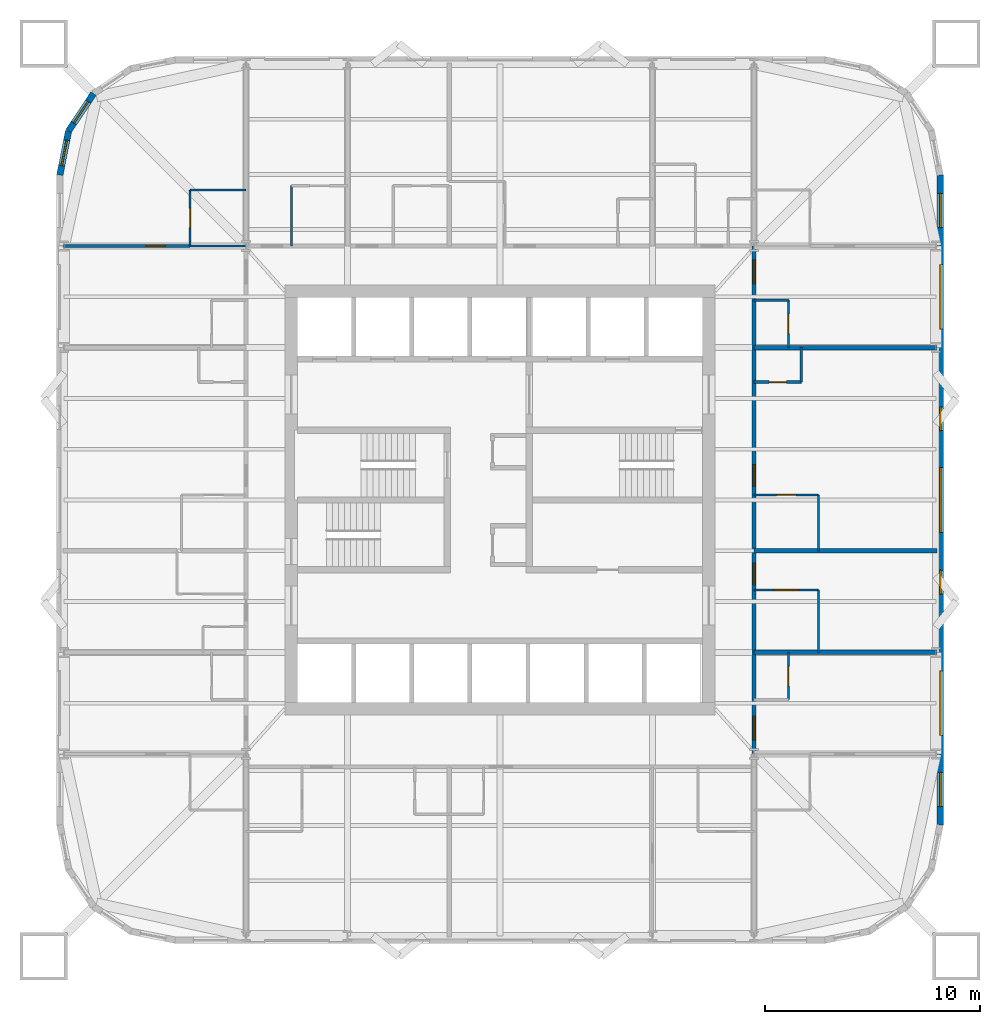
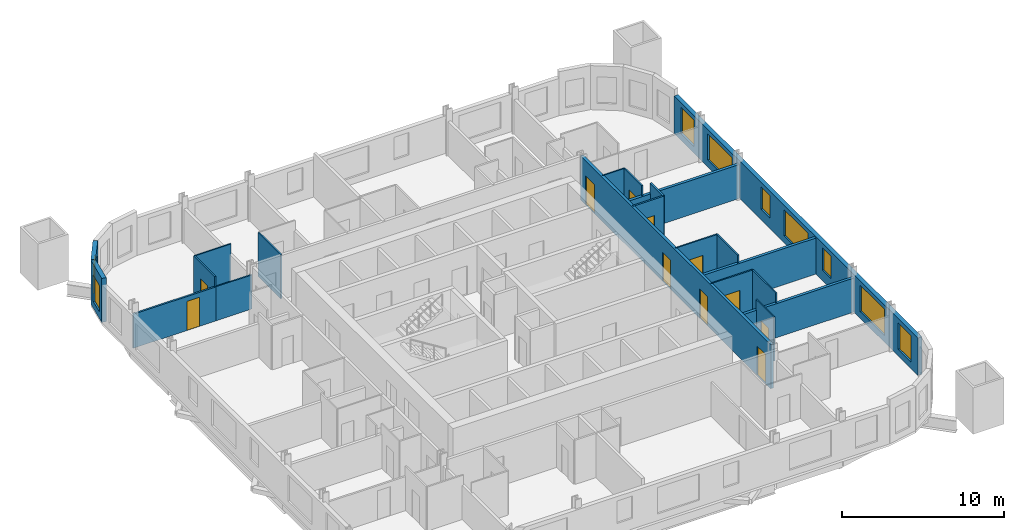
# One storey, part 6 of 9: 21 walls, 11 doors, 9 windows, 20 openings.
"""IFC4 building model written with IfcOpenShell, lengths in metres."""

from ifc_helpers import new_model, si_unit, direction, frame, frame_2d, origin, place, context, subcontext, project, spatial, rectangle, extrude, material, layer, layer_set, type_object, element, fill, save


model = new_model("IFC4")

# Units and contexts
model_context = context("Model", 3, precision=1e-05, world=origin(), true_north=direction((0.0, 1.0)))
body_context = subcontext(model_context, "Body", "Model", "MODEL_VIEW")
ifc_project = project(units=[si_unit("LENGTHUNIT", "METRE"), si_unit("AREAUNIT", "SQUARE_METRE"), si_unit("VOLUMEUNIT", "CUBIC_METRE"), si_unit("PLANEANGLEUNIT", "RADIAN"), si_unit("MASSUNIT", "GRAM", prefix="KILO")], contexts=[model_context])

# Site, building, storey
site_placement = place(None, origin())
site = spatial("IfcSite", under=ifc_project, at=site_placement, CompositionType="ELEMENT")
building_placement = place(site_placement, origin())
building = spatial("IfcBuilding", under=site, at=building_placement, Name="Turquesa Mirador Hotel Tower", CompositionType="ELEMENT")
storey_placement = place(building_placement, frame((0.0, 0.0, 131.89990234375)))
storey = spatial("IfcBuildingStorey", under=building, at=storey_placement, Name="L35", CompositionType="ELEMENT", Elevation=131.89990234375)

# Wall, opening, door
ifc_material_1 = material(Name="Gypsum board on steel studs", Category="steel")
ifc_layer_1 = layer(ifc_material_1, 0.10009765625)
ifc_layer_set_1 = layer_set([ifc_layer_1], Name="BATHROOM WALL 100")
wall_type_1 = type_object("IfcWallType", Name="BATHROOM WALL 100", PredefinedType="PARTITIONING", material=ifc_layer_set_1)
wall_1_placement = place(storey_placement, frame((66.800048828125, 40.820068359375, 0.0), z_axis=(0.0, 0.0, 1.0), x_axis=(1.0, 0.0, 0.0)))
wall_1 = element("IfcWall", 1, at=wall_1_placement, inside=storey, type_object=wall_type_1, Name="Partition L35 015", PredefinedType="PARTITIONING", context=body_context, shape_type="SweptSolid", body=[
    extrude(rectangle(XDim=3.0, YDim=0.10009765625, at=frame_2d((1.5, 0.0))), origin(), (0.0, 0.0, 1.0), 3.330078125),
])
opening_1_placement = place(wall_1_placement, frame((0.949951171875, 0.0, 0.0)))
opening_1 = element("IfcOpeningElement", 2, at=opening_1_placement, cuts=wall_1, Name="Opening D16", PredefinedType="OPENING", context=body_context, shape_type="SweptSolid", body=[
    extrude(rectangle(XDim=1.10009765625, YDim=2.10009765625, at=frame_2d((0.550048828125, 1.050048828125))), frame((0.0, 0.06005859375, 0.0), z_axis=(0.0, -1.0, 0.0), x_axis=(1.0, 0.0, 0.0)), (0.0, 0.0, 1.0), 0.1201171875),
])
ifc_material_2 = material(Name="Timber veneered sliding door", Category="wood")
door_type_1 = type_object("IfcDoorType", Name="DOOR 1100X2100 ACCESSIBLE EN-SUITE", OperationType="SLIDING_TO_LEFT", PredefinedType="DOOR", material=ifc_material_2)
door_1_placement = place(opening_1_placement, origin())
door_1 = element("IfcDoor", 3, at=door_1_placement, inside=storey, type_object=door_type_1, Name="Door 3507B", OperationType="SLIDING_TO_LEFT", OverallHeight=2.10009765625, OverallWidth=1.10009765625, PredefinedType="DOOR", context=body_context, shape_type="SweptSolid", body=[
    extrude(rectangle(XDim=1.10009765625, YDim=2.10009765625, at=frame_2d((0.550048828125, 1.050048828125))), frame((0.0, 0.02490234375, 0.0), z_axis=(0.0, -1.0, 0.0), x_axis=(1.0, 0.0, 0.0)), (0.0, 0.0, 1.0), 0.050048828125),
])
fill(opening_1, door_1)

wall_2_placement = place(storey_placement, frame((66.800048828125, 45.239990234375, 0.0), z_axis=(0.0, 0.0, 1.0), x_axis=(1.0, 0.0, 0.0)))
wall_2 = element("IfcWall", 4, at=wall_2_placement, inside=storey, type_object=wall_type_1, Name="Partition L35 023", PredefinedType="PARTITIONING", context=body_context, shape_type="SweptSolid", body=[
    extrude(rectangle(XDim=3.0, YDim=0.10009765625, at=frame_2d((1.5, 0.0))), origin(), (0.0, 0.0, 1.0), 3.330078125),
])
opening_2_placement = place(wall_2_placement, frame((1.050048828125, 0.0, 0.0)))
opening_2 = element("IfcOpeningElement", 5, at=opening_2_placement, cuts=wall_2, Name="Opening D02", PredefinedType="OPENING", context=body_context, shape_type="SweptSolid", body=[
    extrude(rectangle(XDim=0.89990234375, YDim=2.10009765625, at=frame_2d((0.449951171875, 1.050048828125))), frame((0.0, 0.06005859375, 0.0), z_axis=(0.0, -1.0, 0.0), x_axis=(1.0, 0.0, 0.0)), (0.0, 0.0, 1.0), 0.1201171875),
])
ifc_material_3 = material(Name="Timber veneered door", Category="wood")
door_type_2 = type_object("IfcDoorType", Name="DOOR 900X2100 EN-SUITE", OperationType="SINGLE_SWING_RIGHT", PredefinedType="DOOR", material=ifc_material_3)
door_2_placement = place(opening_2_placement, origin())
door_2 = element("IfcDoor", 6, at=door_2_placement, inside=storey, type_object=door_type_2, Name="Door 3508B", OperationType="SINGLE_SWING_RIGHT", OverallHeight=2.10009765625, OverallWidth=0.89990234375, PredefinedType="DOOR", context=body_context, shape_type="SweptSolid", body=[
    extrude(rectangle(XDim=0.89990234375, YDim=2.10009765625, at=frame_2d((0.449951171875, 1.050048828125))), frame((0.0, 0.02490234375, 0.0), z_axis=(0.0, -1.0, 0.0), x_axis=(1.0, 0.0, 0.0)), (0.0, 0.0, 1.0), 0.050048828125),
])
fill(opening_2, door_2)

# Walls
wall_3_placement = place(storey_placement, frame((40.60009765625, 56.800048828125, 0.0), z_axis=(0.0, 0.0, 1.0), x_axis=(1.0, 0.0, 0.0)))
element("IfcWall", 7, at=wall_3_placement, inside=storey, type_object=wall_type_1, Name="Partition L35 024", PredefinedType="PARTITIONING", context=body_context, shape_type="SweptSolid", body=[
    extrude(rectangle(XDim=2.599853515625, YDim=0.10009765625, at=frame_2d((1.2998046875, 0.0))), origin(), (0.0, 0.0, 1.0), 2.5732421875),
])
wall_4_placement = place(storey_placement, frame((40.60009765625, 59.39990234375, 0.0), z_axis=(0.0, 0.0, 1.0), x_axis=(1.0, 0.0, 0.0)))
element("IfcWall", 8, at=wall_4_placement, inside=storey, type_object=wall_type_1, Name="Partition L35 031", PredefinedType="PARTITIONING", context=body_context, shape_type="SweptSolid", body=[
    extrude(rectangle(XDim=2.599853515625, YDim=0.10009765625, at=frame_2d((1.2998046875, 0.0))), origin(), (0.0, 0.0, 1.0), 3.330078125),
])
wall_5_placement = place(storey_placement, frame((66.800048828125, 54.280029296875, 0.0), z_axis=(0.0, 0.0, 1.0), x_axis=(1.0, 0.0, 0.0)))
element("IfcWall", 9, at=wall_5_placement, inside=storey, type_object=wall_type_1, Name="Partition L35 042", PredefinedType="PARTITIONING", context=body_context, shape_type="SweptSolid", body=[
    extrude(rectangle(XDim=1.599853515625, YDim=0.10009765625, at=frame_2d((0.7998046875, 0.0))), origin(), (0.0, 0.0, 1.0), 3.330078125),
])

# Wall, opening, door
wall_6_placement = place(storey_placement, frame((40.60009765625, 56.800048828125, 0.0), z_axis=(0.0, 0.0, 1.0), x_axis=(0.0, 1.0, 0.0)))
wall_6 = element("IfcWall", 10, at=wall_6_placement, inside=storey, type_object=wall_type_1, Name="Partition L35 052", PredefinedType="PARTITIONING", context=body_context, shape_type="SweptSolid", body=[
    extrude(rectangle(XDim=2.599853515625, YDim=0.10009765625, at=frame_2d((1.2998046875, 0.0))), origin(), (0.0, 0.0, 1.0), 3.330078125),
])
opening_3_placement = place(wall_6_placement, frame((0.85009765625, 0.0, 0.0)))
opening_3 = element("IfcOpeningElement", 11, at=opening_3_placement, cuts=wall_6, Name="Opening D02", PredefinedType="OPENING", context=body_context, shape_type="SweptSolid", body=[
    extrude(rectangle(XDim=0.89990234375, YDim=2.10009765625, at=frame_2d((0.449951171875, 1.050048828125))), frame((0.0, 0.06005859375, 0.0), z_axis=(0.0, -1.0, 0.0), x_axis=(1.0, 0.0, 0.0)), (0.0, 0.0, 1.0), 0.1201171875),
])
door_3_placement = place(opening_3_placement, origin())
door_3 = element("IfcDoor", 12, at=door_3_placement, inside=storey, type_object=door_type_2, Name="Door 3512B", OperationType="SINGLE_SWING_RIGHT", OverallHeight=2.10009765625, OverallWidth=0.89990234375, PredefinedType="DOOR", context=body_context, shape_type="SweptSolid", body=[
    extrude(rectangle(XDim=0.89990234375, YDim=2.10009765625, at=frame_2d((0.449951171875, 1.050048828125))), frame((0.0, 0.02490234375, 0.0), z_axis=(0.0, -1.0, 0.0), x_axis=(1.0, 0.0, 0.0)), (0.0, 0.0, 1.0), 0.050048828125),
])
fill(opening_3, door_3)

# Wall
wall_7_placement = place(storey_placement, frame((45.320068359375, 56.800048828125, 0.0), z_axis=(0.0, 0.0, 1.0), x_axis=(0.0, 1.0, 0.0)))
element("IfcWall", 13, at=wall_7_placement, inside=storey, type_object=wall_type_1, Name="Partition L35 062", PredefinedType="PARTITIONING", context=body_context, shape_type="SweptSolid", body=[
    extrude(rectangle(XDim=2.800048828125, YDim=0.10009765625, at=frame_2d((1.39990234375, 0.0))), origin(), (0.0, 0.0, 1.0), 3.330078125),
])

# Wall, opening, door
wall_8_placement = place(storey_placement, frame((68.39990234375, 35.719970703125, 0.0), z_axis=(0.0, 0.0, 1.0), x_axis=(0.0, 1.0, 0.0)))
wall_8 = element("IfcWall", 14, at=wall_8_placement, inside=storey, type_object=wall_type_1, Name="Partition L35 068", PredefinedType="PARTITIONING", context=body_context, shape_type="SweptSolid", body=[
    extrude(rectangle(XDim=2.199951171875, YDim=0.10009765625, at=frame_2d((1.10009765625, 0.0))), origin(), (0.0, 0.0, 1.0), 3.330078125),
])
opening_4_placement = place(wall_8_placement, frame((0.64990234375, 0.0, 0.0)))
opening_4 = element("IfcOpeningElement", 15, at=opening_4_placement, cuts=wall_8, Name="Opening D06", PredefinedType="OPENING", context=body_context, shape_type="SweptSolid", body=[
    extrude(rectangle(XDim=0.89990234375, YDim=2.10009765625, at=frame_2d((0.449951171875, 1.050048828125))), frame((0.0, 0.06005859375, 0.0), z_axis=(0.0, -1.0, 0.0), x_axis=(1.0, 0.0, 0.0)), (0.0, 0.0, 1.0), 0.1201171875),
])
ifc_material_4 = material(Name="Laminate door", Category="wood")
door_type_3 = type_object("IfcDoorType", Name="DOOR 900X2100 WC", OperationType="SINGLE_SWING_LEFT", PredefinedType="DOOR", material=ifc_material_4)
door_4_placement = place(opening_4_placement, origin())
door_4 = element("IfcDoor", 16, at=door_4_placement, inside=storey, type_object=door_type_3, Name="Door 3514W", OperationType="SINGLE_SWING_LEFT", OverallHeight=2.10009765625, OverallWidth=0.89990234375, PredefinedType="DOOR", context=body_context, shape_type="SweptSolid", body=[
    extrude(rectangle(XDim=0.89990234375, YDim=2.10009765625, at=frame_2d((0.449951171875, 1.050048828125))), frame((0.0, 0.02490234375, 0.0), z_axis=(0.0, -1.0, 0.0), x_axis=(1.0, 0.0, 0.0)), (0.0, 0.0, 1.0), 0.050048828125),
])
fill(opening_4, door_4)

wall_9_placement = place(storey_placement, frame((68.39990234375, 52.080078125, 0.0), z_axis=(0.0, 0.0, 1.0), x_axis=(0.0, 1.0, 0.0)))
wall_9 = element("IfcWall", 17, at=wall_9_placement, inside=storey, type_object=wall_type_1, Name="Partition L35 069", PredefinedType="PARTITIONING", context=body_context, shape_type="SweptSolid", body=[
    extrude(rectangle(XDim=2.199951171875, YDim=0.10009765625, at=frame_2d((1.10009765625, 0.0))), origin(), (0.0, 0.0, 1.0), 3.330078125),
])
opening_5_placement = place(wall_9_placement, frame((0.64990234375, 0.0, 0.0)))
opening_5 = element("IfcOpeningElement", 18, at=opening_5_placement, cuts=wall_9, Name="Opening D06", PredefinedType="OPENING", context=body_context, shape_type="SweptSolid", body=[
    extrude(rectangle(XDim=0.89990234375, YDim=2.10009765625, at=frame_2d((0.449951171875, 1.050048828125))), frame((0.0, 0.06005859375, 0.0), z_axis=(0.0, -1.0, 0.0), x_axis=(1.0, 0.0, 0.0)), (0.0, 0.0, 1.0), 0.1201171875),
])
door_5_placement = place(opening_5_placement, origin())
door_5 = element("IfcDoor", 19, at=door_5_placement, inside=storey, type_object=door_type_3, Name="Door 3511W", OperationType="SINGLE_SWING_LEFT", OverallHeight=2.10009765625, OverallWidth=0.89990234375, PredefinedType="DOOR", context=body_context, shape_type="SweptSolid", body=[
    extrude(rectangle(XDim=0.89990234375, YDim=2.10009765625, at=frame_2d((0.449951171875, 1.050048828125))), frame((0.0, 0.02490234375, 0.0), z_axis=(0.0, -1.0, 0.0), x_axis=(1.0, 0.0, 0.0)), (0.0, 0.0, 1.0), 0.050048828125),
])
fill(opening_5, door_5)

# Walls
wall_10_placement = place(storey_placement, frame((69.800048828125, 37.919921875, 0.0), z_axis=(0.0, 0.0, 1.0), x_axis=(0.0, 1.0, 0.0)))
element("IfcWall", 20, at=wall_10_placement, inside=storey, type_object=wall_type_1, Name="Partition L35 073", PredefinedType="PARTITIONING", context=body_context, shape_type="SweptSolid", body=[
    extrude(rectangle(XDim=2.900146484375, YDim=0.10009765625, at=frame_2d((1.4501953125, 0.0))), origin(), (0.0, 0.0, 1.0), 3.330078125),
])
wall_11_placement = place(storey_placement, frame((69.800048828125, 42.639892578125, 0.0), z_axis=(0.0, 0.0, 1.0), x_axis=(0.0, 1.0, 0.0)))
element("IfcWall", 21, at=wall_11_placement, inside=storey, type_object=wall_type_1, Name="Partition L35 074", PredefinedType="PARTITIONING", context=body_context, shape_type="SweptSolid", body=[
    extrude(rectangle(XDim=2.60009765625, YDim=0.10009765625, at=frame_2d((1.300048828125, 0.0))), origin(), (0.0, 0.0, 1.0), 3.330078125),
])

# Wall, openings, doors
ifc_material_5 = material(Name="Fire-rated gypsum board on steel studs", Category="steel")
ifc_layer_2 = layer(ifc_material_5, 0.199951171875)
ifc_layer_set_2 = layer_set([ifc_layer_2], Name="CORRIDOR WALL 200")
wall_type_2 = type_object("IfcWallType", Name="CORRIDOR WALL 200", PredefinedType="PARTITIONING", material=ifc_layer_set_2)
wall_12_placement = place(storey_placement, frame((66.800048828125, 33.219970703125, 0.0), z_axis=(0.0, 0.0, 1.0), x_axis=(0.0, 1.0, 0.0)))
wall_12 = element("IfcWall", 22, at=wall_12_placement, inside=storey, type_object=wall_type_2, Name="Partition L35 065", PredefinedType="PARTITIONING", context=body_context, shape_type="SweptSolid", body=[
    extrude(rectangle(XDim=23.580078125, YDim=0.199951171875, at=frame_2d((11.7900390625, 0.0))), origin(), (0.0, 0.0, 1.0), 3.330078125),
])
opening_6_placement = place(wall_12_placement, frame((7.85009765625, 0.0, 0.0)))
opening_6 = element("IfcOpeningElement", 23, at=opening_6_placement, cuts=wall_12, Name="Opening D01", PredefinedType="OPENING", context=body_context, shape_type="SweptSolid", body=[
    extrude(rectangle(XDim=1.0, YDim=2.199951171875, at=frame_2d((0.5, 1.10009765625))), frame((0.0, 0.10986328125, 0.0), z_axis=(0.0, -1.0, 0.0), x_axis=(1.0, 0.0, 0.0)), (0.0, 0.0, 1.0), 0.219970703125),
])
opening_7_placement = place(wall_12_placement, frame((12.419921875, 0.0, 0.0)))
opening_7 = element("IfcOpeningElement", 24, at=opening_7_placement, cuts=wall_12, Name="Opening D01", PredefinedType="OPENING", context=body_context, shape_type="SweptSolid", body=[
    extrude(rectangle(XDim=1.0, YDim=2.199951171875, at=frame_2d((0.5, 1.10009765625))), frame((0.0, 0.10986328125, 0.0), z_axis=(0.0, -1.0, 0.0), x_axis=(1.0, 0.0, 0.0)), (0.0, 0.0, 1.0), 0.219970703125),
])
opening_8_placement = place(wall_12_placement, frame((21.830078125, 0.0, 0.0)))
opening_8 = element("IfcOpeningElement", 25, at=opening_8_placement, cuts=wall_12, Name="Opening D15", PredefinedType="OPENING", context=body_context, shape_type="SweptSolid", body=[
    extrude(rectangle(XDim=1.10009765625, YDim=2.199951171875, at=frame_2d((0.550048828125, 1.10009765625))), frame((0.0, 0.10986328125, 0.0), z_axis=(0.0, -1.0, 0.0), x_axis=(1.0, 0.0, 0.0)), (0.0, 0.0, 1.0), 0.219970703125),
])
opening_9_placement = place(wall_12_placement, frame((0.6298828125, 0.0, 0.0)))
opening_9 = element("IfcOpeningElement", 26, at=opening_9_placement, cuts=wall_12, Name="Opening D15", PredefinedType="OPENING", context=body_context, shape_type="SweptSolid", body=[
    extrude(rectangle(XDim=1.10009765625, YDim=2.199951171875, at=frame_2d((0.550048828125, 1.10009765625))), frame((0.0, 0.10986328125, 0.0), z_axis=(0.0, -1.0, 0.0), x_axis=(1.0, 0.0, 0.0)), (0.0, 0.0, 1.0), 0.219970703125),
])
ifc_material_6 = material(Name="Timber veneered fire door", Category="wood")
door_type_4 = type_object("IfcDoorType", Name="DOOR 1000X2200 GUEST ENTRY", OperationType="SINGLE_SWING_LEFT", PredefinedType="DOOR", material=ifc_material_6)
door_6_placement = place(opening_6_placement, origin())
door_6 = element("IfcDoor", 27, at=door_6_placement, inside=storey, type_object=door_type_4, Name="Door 3507", OperationType="SINGLE_SWING_LEFT", OverallHeight=2.199951171875, OverallWidth=1.0, PredefinedType="DOOR", context=body_context, shape_type="SweptSolid", body=[
    extrude(rectangle(XDim=1.0, YDim=2.199951171875, at=frame_2d((0.5, 1.10009765625))), frame((0.0, 0.02490234375, 0.0), z_axis=(0.0, -1.0, 0.0), x_axis=(1.0, 0.0, 0.0)), (0.0, 0.0, 1.0), 0.050048828125),
])
fill(opening_6, door_6)
door_7_placement = place(opening_7_placement, origin())
door_7 = element("IfcDoor", 28, at=door_7_placement, inside=storey, type_object=door_type_4, Name="Door 3508", OperationType="SINGLE_SWING_LEFT", OverallHeight=2.199951171875, OverallWidth=1.0, PredefinedType="DOOR", context=body_context, shape_type="SweptSolid", body=[
    extrude(rectangle(XDim=1.0, YDim=2.199951171875, at=frame_2d((0.5, 1.10009765625))), frame((0.0, 0.02490234375, 0.0), z_axis=(0.0, -1.0, 0.0), x_axis=(1.0, 0.0, 0.0)), (0.0, 0.0, 1.0), 0.050048828125),
])
fill(opening_7, door_7)
ifc_material_7 = material(Name="Timber veneered fire door", Category="wood")
door_type_5 = type_object("IfcDoorType", Name="DOOR 1100X2200 SUITE ENTRY", OperationType="SINGLE_SWING_LEFT", PredefinedType="DOOR", material=ifc_material_7)
door_8_placement = place(opening_8_placement, origin())
door_8 = element("IfcDoor", 29, at=door_8_placement, inside=storey, type_object=door_type_5, Name="Door 3511", OperationType="SINGLE_SWING_LEFT", OverallHeight=2.199951171875, OverallWidth=1.10009765625, PredefinedType="DOOR", context=body_context, shape_type="SweptSolid", body=[
    extrude(rectangle(XDim=1.10009765625, YDim=2.199951171875, at=frame_2d((0.550048828125, 1.10009765625))), frame((0.0, 0.02490234375, 0.0), z_axis=(0.0, -1.0, 0.0), x_axis=(1.0, 0.0, 0.0)), (0.0, 0.0, 1.0), 0.050048828125),
])
fill(opening_8, door_8)
door_9_placement = place(opening_9_placement, origin())
door_9 = element("IfcDoor", 30, at=door_9_placement, inside=storey, type_object=door_type_5, Name="Door 3514", OperationType="SINGLE_SWING_LEFT", OverallHeight=2.199951171875, OverallWidth=1.10009765625, PredefinedType="DOOR", context=body_context, shape_type="SweptSolid", body=[
    extrude(rectangle(XDim=1.10009765625, YDim=2.199951171875, at=frame_2d((0.550048828125, 1.10009765625))), frame((0.0, 0.02490234375, 0.0), z_axis=(0.0, -1.0, 0.0), x_axis=(1.0, 0.0, 0.0)), (0.0, 0.0, 1.0), 0.050048828125),
])
fill(opening_9, door_9)

# Wall, openings, windows
ifc_material_8 = material(Name="Limestone cladding on concrete block", Category="masonry")
ifc_layer_3 = layer(ifc_material_8, 0.300048828125)
ifc_layer_set_3 = layer_set([ifc_layer_3], Name="FACADE WALL 300 STONE SCREEN")
wall_type_3 = type_object("IfcWallType", Name="FACADE WALL 300 STONE SCREEN", PredefinedType="SOLIDWALL", material=ifc_layer_set_3)
wall_13_placement = place(storey_placement, frame((75.449951171875, 29.89990234375, 0.0), z_axis=(0.0, 0.0, 1.0), x_axis=(0.0, 1.0, 0.0)))
wall_13 = element("IfcWall", 31, at=wall_13_placement, inside=storey, type_object=wall_type_3, Name="Facade wall L35 04", PredefinedType="SOLIDWALL", context=body_context, shape_type="SweptSolid", body=[
    extrude(rectangle(XDim=30.2001953125, YDim=0.300048828125, at=frame_2d((15.10009765625, 0.0))), origin(), (0.0, 0.0, 1.0), 2.830078125),
])
opening_10_placement = place(wall_13_placement, frame((0.85009765625, 0.0, 0.5)))
opening_10 = element("IfcOpeningElement", 32, at=opening_10_placement, cuts=wall_13, Name="Opening WN3", PredefinedType="OPENING", context=body_context, shape_type="SweptSolid", body=[
    extrude(rectangle(XDim=1.60009765625, YDim=2.0, at=frame_2d((0.800048828125, 1.0))), frame((0.0, 0.159912109375, 0.0), z_axis=(0.0, -1.0, 0.0), x_axis=(1.0, 0.0, 0.0)), (0.0, 0.0, 1.0), 0.320068359375),
])
opening_11_placement = place(wall_13_placement, frame((4.159912109375, 0.0, 0.5)))
opening_11 = element("IfcOpeningElement", 33, at=opening_11_placement, cuts=wall_13, Name="Opening WN1", PredefinedType="OPENING", context=body_context, shape_type="SweptSolid", body=[
    extrude(rectangle(XDim=3.0, YDim=2.0, at=frame_2d((1.5, 1.0))), frame((0.0, 0.159912109375, 0.0), z_axis=(0.0, -1.0, 0.0), x_axis=(1.0, 0.0, 0.0)), (0.0, 0.0, 1.0), 0.320068359375),
])
opening_12_placement = place(wall_13_placement, frame((10.72998046875, 0.0, 0.800048828125)))
opening_12 = element("IfcOpeningElement", 34, at=opening_12_placement, cuts=wall_13, Name="Opening WN26", PredefinedType="OPENING", context=body_context, shape_type="SweptSolid", body=[
    extrude(rectangle(XDim=1.10009765625, YDim=1.699951171875, at=frame_2d((0.550048828125, 0.85009765625))), frame((0.0, 0.159912109375, 0.0), z_axis=(0.0, -1.0, 0.0), x_axis=(1.0, 0.0, 0.0)), (0.0, 0.0, 1.0), 0.320068359375),
])
opening_13_placement = place(wall_13_placement, frame((13.60009765625, 0.0, 0.5)))
opening_13 = element("IfcOpeningElement", 35, at=opening_13_placement, cuts=wall_13, Name="Opening WN1", PredefinedType="OPENING", context=body_context, shape_type="SweptSolid", body=[
    extrude(rectangle(XDim=3.0, YDim=2.0, at=frame_2d((1.5, 1.0))), frame((0.0, 0.159912109375, 0.0), z_axis=(0.0, -1.0, 0.0), x_axis=(1.0, 0.0, 0.0)), (0.0, 0.0, 1.0), 0.320068359375),
])
opening_14_placement = place(wall_13_placement, frame((18.320068359375, 0.0, 0.800048828125)))
opening_14 = element("IfcOpeningElement", 36, at=opening_14_placement, cuts=wall_13, Name="Opening WN26", PredefinedType="OPENING", context=body_context, shape_type="SweptSolid", body=[
    extrude(rectangle(XDim=1.10009765625, YDim=1.699951171875, at=frame_2d((0.550048828125, 0.85009765625))), frame((0.0, 0.159912109375, 0.0), z_axis=(0.0, -1.0, 0.0), x_axis=(1.0, 0.0, 0.0)), (0.0, 0.0, 1.0), 0.320068359375),
])
opening_15_placement = place(wall_13_placement, frame((23.0400390625, 0.0, 0.5)))
opening_15 = element("IfcOpeningElement", 37, at=opening_15_placement, cuts=wall_13, Name="Opening WN1", PredefinedType="OPENING", context=body_context, shape_type="SweptSolid", body=[
    extrude(rectangle(XDim=3.0, YDim=2.0, at=frame_2d((1.5, 1.0))), frame((0.0, 0.159912109375, 0.0), z_axis=(0.0, -1.0, 0.0), x_axis=(1.0, 0.0, 0.0)), (0.0, 0.0, 1.0), 0.320068359375),
])
opening_16_placement = place(wall_13_placement, frame((27.75, 0.0, 0.5)))
opening_16 = element("IfcOpeningElement", 38, at=opening_16_placement, cuts=wall_13, Name="Opening WN3", PredefinedType="OPENING", context=body_context, shape_type="SweptSolid", body=[
    extrude(rectangle(XDim=1.60009765625, YDim=2.0, at=frame_2d((0.800048828125, 1.0))), frame((0.0, 0.159912109375, 0.0), z_axis=(0.0, -1.0, 0.0), x_axis=(1.0, 0.0, 0.0)), (0.0, 0.0, 1.0), 0.320068359375),
])
ifc_material_9 = material(Name="Ceramic-fritted laminated glass", Category="glass")
window_type_1 = type_object("IfcWindowType", Name="FRITTED WINDOW 1100X1700", PartitioningType="DOUBLE_PANEL_HORIZONTAL", PredefinedType="WINDOW", material=ifc_material_9)
window_1_placement = place(opening_12_placement, origin())
window_1 = element("IfcWindow", 39, at=window_1_placement, inside=storey, type_object=window_type_1, Name="Window L35", OverallHeight=1.699951171875, OverallWidth=1.10009765625, PartitioningType="SINGLE_PANEL", PredefinedType="WINDOW", context=body_context, shape_type="SweptSolid", body=[
    extrude(rectangle(XDim=1.10009765625, YDim=1.699951171875, at=frame_2d((0.550048828125, 0.85009765625))), frame((0.0, 0.030029296875, 0.0), z_axis=(0.0, -1.0, 0.0), x_axis=(1.0, 0.0, 0.0)), (0.0, 0.0, 1.0), 0.06005859375),
])
fill(opening_12, window_1)
window_2_placement = place(opening_14_placement, origin())
window_2 = element("IfcWindow", 40, at=window_2_placement, inside=storey, type_object=window_type_1, Name="Window L35", OverallHeight=1.699951171875, OverallWidth=1.10009765625, PartitioningType="SINGLE_PANEL", PredefinedType="WINDOW", context=body_context, shape_type="SweptSolid", body=[
    extrude(rectangle(XDim=1.10009765625, YDim=1.699951171875, at=frame_2d((0.550048828125, 0.85009765625))), frame((0.0, 0.030029296875, 0.0), z_axis=(0.0, -1.0, 0.0), x_axis=(1.0, 0.0, 0.0)), (0.0, 0.0, 1.0), 0.06005859375),
])
fill(opening_14, window_2)
ifc_material_10 = material(Name="Ceramic-fritted laminated glass", Category="glass")
window_type_2 = type_object("IfcWindowType", Name="FRITTED WINDOW 1600X2000", PartitioningType="DOUBLE_PANEL_HORIZONTAL", PredefinedType="WINDOW", material=ifc_material_10)
window_3_placement = place(opening_10_placement, origin())
window_3 = element("IfcWindow", 41, at=window_3_placement, inside=storey, type_object=window_type_2, Name="Window L35", OverallHeight=2.0, OverallWidth=1.60009765625, PartitioningType="SINGLE_PANEL", PredefinedType="WINDOW", context=body_context, shape_type="SweptSolid", body=[
    extrude(rectangle(XDim=1.60009765625, YDim=2.0, at=frame_2d((0.800048828125, 1.0))), frame((0.0, 0.030029296875, 0.0), z_axis=(0.0, -1.0, 0.0), x_axis=(1.0, 0.0, 0.0)), (0.0, 0.0, 1.0), 0.06005859375),
])
fill(opening_10, window_3)
window_4_placement = place(opening_16_placement, origin())
window_4 = element("IfcWindow", 42, at=window_4_placement, inside=storey, type_object=window_type_2, Name="Window L35", OverallHeight=2.0, OverallWidth=1.60009765625, PartitioningType="SINGLE_PANEL", PredefinedType="WINDOW", context=body_context, shape_type="SweptSolid", body=[
    extrude(rectangle(XDim=1.60009765625, YDim=2.0, at=frame_2d((0.800048828125, 1.0))), frame((0.0, 0.030029296875, 0.0), z_axis=(0.0, -1.0, 0.0), x_axis=(1.0, 0.0, 0.0)), (0.0, 0.0, 1.0), 0.06005859375),
])
fill(opening_16, window_4)
ifc_material_11 = material(Name="Ceramic-fritted laminated glass", Category="glass")
window_type_3 = type_object("IfcWindowType", Name="FRITTED WINDOW 3000X2000", PartitioningType="DOUBLE_PANEL_HORIZONTAL", PredefinedType="WINDOW", material=ifc_material_11)
window_5_placement = place(opening_11_placement, origin())
window_5 = element("IfcWindow", 43, at=window_5_placement, inside=storey, type_object=window_type_3, Name="Window L35", OverallHeight=2.0, OverallWidth=3.0, PartitioningType="SINGLE_PANEL", PredefinedType="WINDOW", context=body_context, shape_type="SweptSolid", body=[
    extrude(rectangle(XDim=3.0, YDim=2.0, at=frame_2d((1.5, 1.0))), frame((0.0, 0.030029296875, 0.0), z_axis=(0.0, -1.0, 0.0), x_axis=(1.0, 0.0, 0.0)), (0.0, 0.0, 1.0), 0.06005859375),
])
fill(opening_11, window_5)
window_6_placement = place(opening_13_placement, origin())
window_6 = element("IfcWindow", 44, at=window_6_placement, inside=storey, type_object=window_type_3, Name="Window L35", OverallHeight=2.0, OverallWidth=3.0, PartitioningType="SINGLE_PANEL", PredefinedType="WINDOW", context=body_context, shape_type="SweptSolid", body=[
    extrude(rectangle(XDim=3.0, YDim=2.0, at=frame_2d((1.5, 1.0))), frame((0.0, 0.030029296875, 0.0), z_axis=(0.0, -1.0, 0.0), x_axis=(1.0, 0.0, 0.0)), (0.0, 0.0, 1.0), 0.06005859375),
])
fill(opening_13, window_6)
window_7_placement = place(opening_15_placement, origin())
window_7 = element("IfcWindow", 45, at=window_7_placement, inside=storey, type_object=window_type_3, Name="Window L35", OverallHeight=2.0, OverallWidth=3.0, PartitioningType="SINGLE_PANEL", PredefinedType="WINDOW", context=body_context, shape_type="SweptSolid", body=[
    extrude(rectangle(XDim=3.0, YDim=2.0, at=frame_2d((1.5, 1.0))), frame((0.0, 0.030029296875, 0.0), z_axis=(0.0, -1.0, 0.0), x_axis=(1.0, 0.0, 0.0)), (0.0, 0.0, 1.0), 0.06005859375),
])
fill(opening_15, window_7)

# Wall, opening, window
wall_14_placement = place(storey_placement, frame((36.116943359375, 63.883056640625, 0.0), z_axis=(0.0, 0.0, 1.0), x_axis=(-0.555563607591, -0.831474039234, 0.0)))
wall_14 = element("IfcWall", 46, at=wall_14_placement, inside=storey, type_object=wall_type_3, Name="Facade wall L35 12", PredefinedType="SOLIDWALL", context=body_context, shape_type="SweptSolid", body=[
    extrude(rectangle(XDim=2.08740234375, YDim=0.300048828125, at=frame_2d((1.043701171875, 0.0))), origin(), (0.0, 0.0, 1.0), 3.330078125),
])
opening_17_placement = place(wall_14_placement, frame((0.443603515625, 0.0, 0.5)))
opening_17 = element("IfcOpeningElement", 47, at=opening_17_placement, cuts=wall_14, Name="Opening WN4", PredefinedType="OPENING", context=body_context, shape_type="SweptSolid", body=[
    extrude(rectangle(XDim=1.199951171875, YDim=2.0, at=frame_2d((0.60009765625, 1.0))), frame((0.0, 0.159912109375, 0.0), z_axis=(0.0, -1.0, 0.0), x_axis=(1.0, 0.0, 0.0)), (0.0, 0.0, 1.0), 0.320068359375),
])
ifc_material_12 = material(Name="Ceramic-fritted laminated glass", Category="glass")
window_type_4 = type_object("IfcWindowType", Name="FRITTED CORNER WINDOW 1200X2000", PartitioningType="DOUBLE_PANEL_HORIZONTAL", PredefinedType="WINDOW", material=ifc_material_12)
window_8_placement = place(opening_17_placement, origin())
window_8 = element("IfcWindow", 48, at=window_8_placement, inside=storey, type_object=window_type_4, Name="Window L35", OverallHeight=2.0, OverallWidth=1.199951171875, PartitioningType="SINGLE_PANEL", PredefinedType="WINDOW", context=body_context, shape_type="SweptSolid", body=[
    extrude(rectangle(XDim=1.199951171875, YDim=2.0, at=frame_2d((0.60009765625, 1.0))), frame((0.0, 0.030029296875, 0.0), z_axis=(0.0, -1.0, 0.0), x_axis=(1.0, 0.0, 0.0)), (0.0, 0.0, 1.0), 0.06005859375),
])
fill(opening_17, window_8)

wall_15_placement = place(storey_placement, frame((34.957275390625, 62.1474609375, 0.0), z_axis=(0.0, 0.0, 1.0), x_axis=(-0.195081421501, -0.980787050784, 0.0)))
wall_15 = element("IfcWall", 49, at=wall_15_placement, inside=storey, type_object=wall_type_3, Name="Facade wall L35 13", PredefinedType="SOLIDWALL", context=body_context, shape_type="SweptSolid", body=[
    extrude(rectangle(XDim=2.08740234375, YDim=0.300048828125, at=frame_2d((1.043701171875, 0.0))), origin(), (0.0, 0.0, 1.0), 3.330078125),
])
opening_18_placement = place(wall_15_placement, frame((0.443603515625, 0.0, 0.5)))
opening_18 = element("IfcOpeningElement", 50, at=opening_18_placement, cuts=wall_15, Name="Opening WN4", PredefinedType="OPENING", context=body_context, shape_type="SweptSolid", body=[
    extrude(rectangle(XDim=1.199951171875, YDim=2.0, at=frame_2d((0.60009765625, 1.0))), frame((0.0, 0.159912109375, 0.0), z_axis=(0.0, -1.0, 0.0), x_axis=(1.0, 0.0, 0.0)), (0.0, 0.0, 1.0), 0.320068359375),
])
window_9_placement = place(opening_18_placement, origin())
window_9 = element("IfcWindow", 51, at=window_9_placement, inside=storey, type_object=window_type_4, Name="Window L35", OverallHeight=2.0, OverallWidth=1.199951171875, PartitioningType="SINGLE_PANEL", PredefinedType="WINDOW", context=body_context, shape_type="SweptSolid", body=[
    extrude(rectangle(XDim=1.199951171875, YDim=2.0, at=frame_2d((0.60009765625, 1.0))), frame((0.0, 0.030029296875, 0.0), z_axis=(0.0, -1.0, 0.0), x_axis=(1.0, 0.0, 0.0)), (0.0, 0.0, 1.0), 0.06005859375),
])
fill(opening_18, window_9)

# Walls
ifc_material_13 = material(Name="Fire-rated gypsum board on steel studs", Category="steel")
ifc_layer_4 = layer(ifc_material_13, 0.199951171875)
ifc_layer_set_4 = layer_set([ifc_layer_4], Name="PARTY WALL 200")
wall_type_4 = type_object("IfcWallType", Name="PARTY WALL 200", PredefinedType="PARTITIONING", material=ifc_layer_set_4)
wall_16_placement = place(storey_placement, frame((66.800048828125, 42.639892578125, 0.0), z_axis=(0.0, 0.0, 1.0), x_axis=(1.0, 0.0, 0.0)))
element("IfcWall", 52, at=wall_16_placement, inside=storey, type_object=wall_type_4, Name="Partition L35 014", PredefinedType="PARTITIONING", context=body_context, shape_type="SweptSolid", body=[
    extrude(rectangle(XDim=8.5, YDim=0.199951171875, at=frame_2d((4.25, 0.0))), origin(), (0.0, 0.0, 1.0), 2.730712890625),
])
for number, where, z_axis, x_axis, name in (
    (53, (66.800048828125, 37.919921875, 0.0), (0.0, 0.0, 1.0), (1.0, 0.0, 0.0), "Partition L35 019"),
    (54, (66.800048828125, 52.080078125, 0.0), (0.0, 0.0, 1.0), (1.0, 0.0, 0.0), "Partition L35 040"),
):
    element("IfcWall", number, at=place(storey_placement, frame(where, z_axis=z_axis, x_axis=x_axis)), inside=storey, type_object=wall_type_4, Name=name, PredefinedType="PARTITIONING", context=body_context, shape_type="SweptSolid", body=[
        extrude(rectangle(XDim=8.5, YDim=0.199951171875, at=frame_2d((4.25, 0.0))), origin(), (0.0, 0.0, 1.0), 2.5732421875),
    ])

# Wall, opening, door
ifc_material_14 = material(Name="Acoustic gypsum board on steel studs", Category="steel")
ifc_layer_5 = layer(ifc_material_14, 0.125)
ifc_layer_set_5 = layer_set([ifc_layer_5], Name="SUITE PARTITION 125")
wall_type_5 = type_object("IfcWallType", Name="SUITE PARTITION 125", PredefinedType="PARTITIONING", material=ifc_layer_set_5)
wall_17_placement = place(storey_placement, frame((34.699951171875, 56.800048828125, 0.0), z_axis=(0.0, 0.0, 1.0), x_axis=(1.0, 0.0, 0.0)))
wall_17 = element("IfcWall", 55, at=wall_17_placement, inside=storey, type_object=wall_type_5, Name="Partition L35 027", PredefinedType="PARTITIONING", context=body_context, shape_type="SweptSolid", body=[
    extrude(rectangle(XDim=5.900146484375, YDim=0.125, at=frame_2d((2.9501953125, 0.0))), origin(), (0.0, 0.0, 1.0), 2.5732421875),
])
opening_19_placement = place(wall_17_placement, frame((3.85009765625, 0.0, 0.0)))
opening_19 = element("IfcOpeningElement", 56, at=opening_19_placement, cuts=wall_17, Name="Opening D17", PredefinedType="OPENING", context=body_context, shape_type="SweptSolid", body=[
    extrude(rectangle(XDim=0.89990234375, YDim=2.199951171875, at=frame_2d((0.449951171875, 1.10009765625))), frame((0.0, 0.072509765625, 0.0), z_axis=(0.0, -1.0, 0.0), x_axis=(1.0, 0.0, 0.0)), (0.0, 0.0, 1.0), 0.14501953125),
])
ifc_material_15 = material(Name="Timber veneered door", Category="wood")
door_type_6 = type_object("IfcDoorType", Name="DOOR 900X2200 SUITE INTERNAL", OperationType="SINGLE_SWING_LEFT", PredefinedType="DOOR", material=ifc_material_15)
door_10_placement = place(opening_19_placement, origin())
door_10 = element("IfcDoor", 57, at=door_10_placement, inside=storey, type_object=door_type_6, Name="Door 3512R", OperationType="SINGLE_SWING_LEFT", OverallHeight=2.199951171875, OverallWidth=0.89990234375, PredefinedType="DOOR", context=body_context, shape_type="SweptSolid", body=[
    extrude(rectangle(XDim=0.89990234375, YDim=2.199951171875, at=frame_2d((0.449951171875, 1.10009765625))), frame((0.0, 0.02490234375, 0.0), z_axis=(0.0, -1.0, 0.0), x_axis=(1.0, 0.0, 0.0)), (0.0, 0.0, 1.0), 0.050048828125),
])
fill(opening_19, door_10)

wall_18_placement = place(storey_placement, frame((66.800048828125, 50.47998046875, 0.0), z_axis=(0.0, 0.0, 1.0), x_axis=(1.0, 0.0, 0.0)))
wall_18 = element("IfcWall", 58, at=wall_18_placement, inside=storey, type_object=wall_type_5, Name="Partition L35 038", PredefinedType="PARTITIONING", context=body_context, shape_type="SweptSolid", body=[
    extrude(rectangle(XDim=2.199951171875, YDim=0.125, at=frame_2d((1.10009765625, 0.0))), origin(), (0.0, 0.0, 1.0), 3.330078125),
])
opening_20_placement = place(wall_18_placement, frame((0.699951171875, 0.0, 0.0)))
opening_20 = element("IfcOpeningElement", 59, at=opening_20_placement, cuts=wall_18, Name="Opening D20", PredefinedType="OPENING", context=body_context, shape_type="SweptSolid", body=[
    extrude(rectangle(XDim=0.800048828125, YDim=2.10009765625, at=frame_2d((0.39990234375, 1.050048828125))), frame((0.0, 0.072509765625, 0.0), z_axis=(0.0, -1.0, 0.0), x_axis=(1.0, 0.0, 0.0)), (0.0, 0.0, 1.0), 0.14501953125),
])
ifc_material_16 = material(Name="Timber veneered sliding door", Category="wood")
door_type_7 = type_object("IfcDoorType", Name="DOOR 800X2100 WARDROBE", OperationType="SLIDING_TO_LEFT", PredefinedType="DOOR", material=ifc_material_16)
door_11_placement = place(opening_20_placement, origin())
door_11 = element("IfcDoor", 60, at=door_11_placement, inside=storey, type_object=door_type_7, Name="Door 3508W", OperationType="SLIDING_TO_LEFT", OverallHeight=2.10009765625, OverallWidth=0.800048828125, PredefinedType="DOOR", context=body_context, shape_type="SweptSolid", body=[
    extrude(rectangle(XDim=0.800048828125, YDim=2.10009765625, at=frame_2d((0.39990234375, 1.050048828125))), frame((0.0, 0.02490234375, 0.0), z_axis=(0.0, -1.0, 0.0), x_axis=(1.0, 0.0, 0.0)), (0.0, 0.0, 1.0), 0.050048828125),
])
fill(opening_20, door_11)

# Wall
wall_19_placement = place(storey_placement, frame((69.0, 50.47998046875, 0.0), z_axis=(0.0, 0.0, 1.0), x_axis=(0.0, 1.0, 0.0)))
element("IfcWall", 61, at=wall_19_placement, inside=storey, type_object=wall_type_5, Name="Partition L35 070", PredefinedType="PARTITIONING", context=body_context, shape_type="SweptSolid", body=[
    extrude(rectangle(XDim=1.60009765625, YDim=0.125, at=frame_2d((0.800048828125, 0.0))), origin(), (0.0, 0.0, 1.0), 3.330078125),
])

save(model, "model.ifc")
